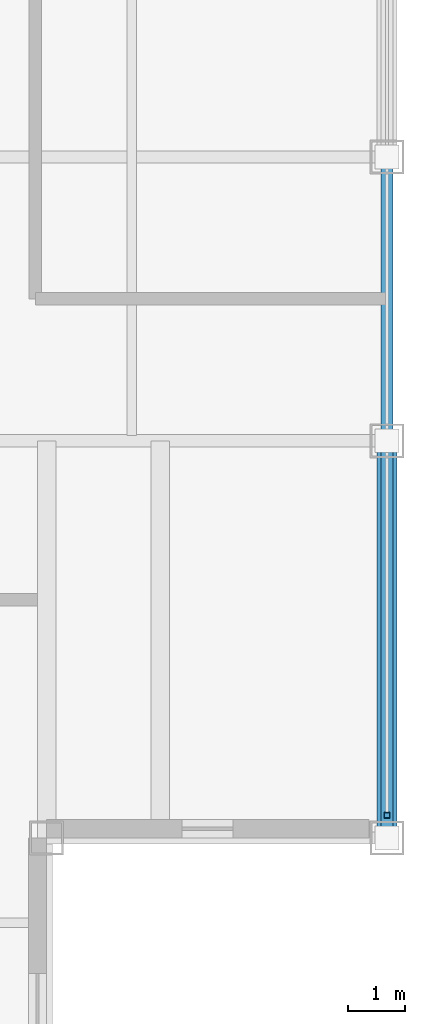
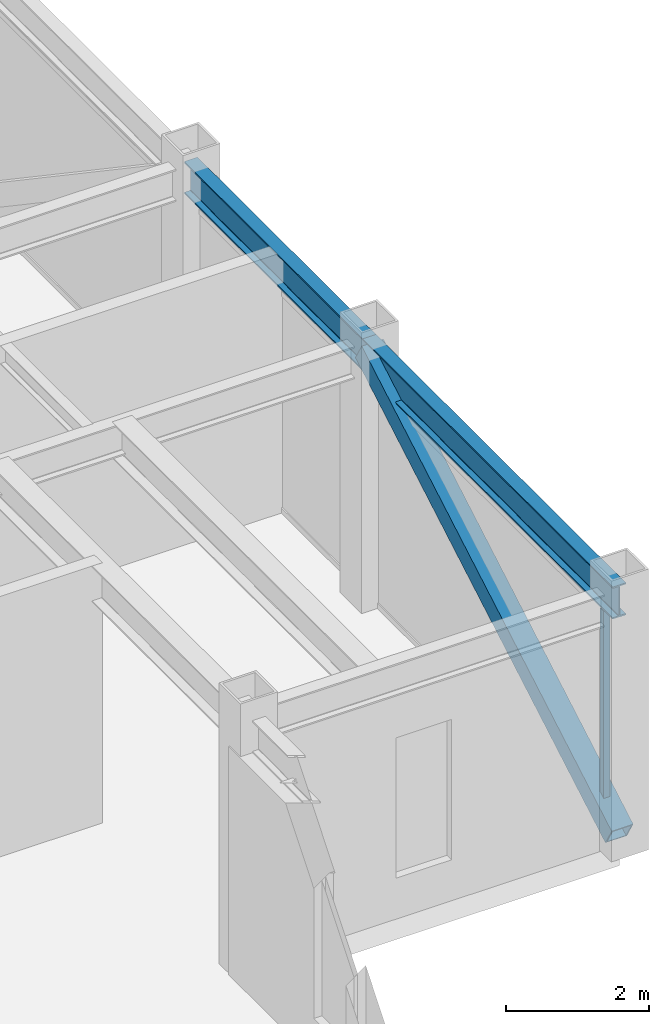
# One storey, part 10 of 27: 2 beams, 2 members, 1 element without a shape of its own.
"""IFC4 building model written with IfcOpenShell, lengths in metres."""

from ifc_helpers import new_model, si_unit, direction, frame, origin, origin_2d, place, context, subcontext, project, spatial, hollow_rectangle, i_section, extrude, source, transform, mapped, material, material_profile, profile_set, type_object, element, aggregate, save


model = new_model("IFC4")

# Units and contexts
model_context = context("Model", 3, precision=1e-05, world=origin(), true_north=direction((0.0, 1.0)))
body_context = subcontext(model_context, "Body", "Model", "MODEL_VIEW")
ifc_project = project(units=[si_unit("LENGTHUNIT", "METRE"), si_unit("AREAUNIT", "SQUARE_METRE"), si_unit("VOLUMEUNIT", "CUBIC_METRE"), si_unit("PLANEANGLEUNIT", "RADIAN"), si_unit("MASSUNIT", "GRAM", prefix="KILO")], contexts=[model_context])

# Site, building, storey
site_placement = place(None, origin())
site = spatial("IfcSite", under=ifc_project, at=site_placement, CompositionType="ELEMENT")
building_placement = place(site_placement, origin())
building = spatial("IfcBuilding", under=site, at=building_placement, Name="Khorayat Bourse Tower", CompositionType="ELEMENT")
storey_placement = place(building_placement, frame((0.0, 0.0, 385.10009765625)))
storey = spatial("IfcBuildingStorey", under=building, at=storey_placement, Name="L91", CompositionType="ELEMENT", Elevation=385.10009765625)

# Beams
ifc_material_1 = material(Name="Steel ASTM A992 Grade 50", Category="steel")
ifc_material_profile_1 = material_profile(ifc_material_1, i_section(OverallWidth=0.214111328125, OverallDepth=0.549072265625, WebThickness=0.0146484375, FlangeThickness=0.023681640625, FilletRadius=0.013916015625, at=origin_2d()), Name="W530X138")
ifc_profile_set_1 = profile_set([ifc_material_profile_1], Name="Steel ASTM A992 Grade 50")
beam_type = type_object("IfcBeamType", Name="BM-SPAN-530", PredefinedType="SPANDREL", material=ifc_profile_set_1)
shared_shape_1 = source(origin(), body_context, "Body", "SweptSolid", [
    extrude(i_section(OverallWidth=0.214111328125, OverallDepth=0.549072265625, WebThickness=0.0146484375, FlangeThickness=0.023681640625, FilletRadius=0.013916015625, at=origin_2d()), origin(), (0.0, 0.0, 1.0), 5.0),
])
beam_1_placement = place(storey_placement, frame((24.0, -11.0, 4.17529296875), z_axis=(0.0, 1.0, 0.0), x_axis=(-1.0, 0.0, 0.0)))
element("IfcBeam", 1, at=beam_1_placement, inside=storey, type_object=beam_type, Name="L91 BM-SPAN-530 BM-L91-SPN-033", PredefinedType="SPANDREL", context=body_context, shape_type="MappedRepresentation", body=[
    mapped(shared_shape_1, transform((0.0, 0.0, 0.0), scale=1.0)),
])
shared_shape_2 = source(origin(), body_context, "Body", "SweptSolid", [
    extrude(i_section(OverallWidth=0.214111328125, OverallDepth=0.549072265625, WebThickness=0.0146484375, FlangeThickness=0.023681640625, FilletRadius=0.013916015625, at=origin_2d()), origin(), (0.0, 0.0, 1.0), 7.0),
])
beam_2_placement = place(storey_placement, frame((24.0, -18.0, 4.17529296875), z_axis=(0.0, 1.0, 0.0), x_axis=(-1.0, 0.0, 0.0)))
element("IfcBeam", 2, at=beam_2_placement, inside=storey, type_object=beam_type, Name="L91 BM-SPAN-530 BM-L91-SPN-032", PredefinedType="SPANDREL", context=body_context, shape_type="MappedRepresentation", body=[
    mapped(shared_shape_2, transform((0.0, 0.0, 0.0), scale=1.0)),
])

# Member
ifc_material_2 = material(Name="Steel EN 10025-2 S355J2", Category="steel")
ifc_material_profile_2 = material_profile(ifc_material_2, hollow_rectangle(XDim=0.35009765625, YDim=0.35009765625, WallThickness=0.02001953125, at=origin_2d()), Name="HSS 350x350x20")
ifc_profile_set_2 = profile_set([ifc_material_profile_2], Name="Steel EN 10025-2 S355J2")
member_type_1 = type_object("IfcMemberType", Name="MBR-CROWN-350", PredefinedType="USERDEFINED", material=ifc_profile_set_2)
shared_shape_3 = source(origin(), body_context, "Body", "SweptSolid", [
    extrude(hollow_rectangle(XDim=0.35009765625, YDim=0.35009765625, WallThickness=0.02001953125, at=origin_2d()), origin(), (0.0, 0.0, 1.0), 8.087158203125),
])
member_1_placement = place(storey_placement, frame((24.0, -18.0, 0.199951171875), z_axis=(0.0, 0.865564731219, 0.500797060763), x_axis=(-1.0, 0.0, 0.0)))
element("IfcMember", 3, at=member_1_placement, inside=storey, type_object=member_type_1, Name="L91 Lantern Crown Frame Member 13", ObjectType="CROWN FRAME", PredefinedType="USERDEFINED", context=body_context, shape_type="MappedRepresentation", body=[
    mapped(shared_shape_3, transform((0.0, 0.0, 0.0), scale=1.0)),
])

# Curtain wall, member
ifc_material_3 = material(Name="Aluminium EN AW-6063 T6", Category="aluminium")
curtain_wall_type = type_object("IfcCurtainWallType", Name="CW-SYS-07", PredefinedType="NOTDEFINED", material=ifc_material_3)
curtain_wall_placement = place(storey_placement, origin())
curtain_wall = element("IfcCurtainWall", 4, at=curtain_wall_placement, inside=storey, type_object=curtain_wall_type, Name="L91 Curtain Wall CW-L91-E1", PredefinedType="NOTDEFINED")
ifc_material_profile_3 = material_profile(ifc_material_3, hollow_rectangle(XDim=0.10009765625, YDim=0.10009765625, WallThickness=0.0048828125, at=origin_2d()), Name="ALU 100x100x5")
ifc_profile_set_3 = profile_set([ifc_material_profile_3], Name="Aluminium EN AW-6063 T6")
member_type_2 = type_object("IfcMemberType", Name="CWM-LANTERN-100", PredefinedType="MULLION", material=ifc_profile_set_3)
shared_shape_4 = source(origin(), body_context, "Body", "SweptSolid", [
    extrude(hollow_rectangle(XDim=0.10009765625, YDim=0.10009765625, WallThickness=0.0048828125, at=origin_2d()), origin(), (0.0, 0.0, 1.0), 3.7998046875),
])
member_2_placement = place(storey_placement, frame((24.0, -17.60009765625, 0.0), z_axis=(0.0, 0.0, 1.0), x_axis=(-1.0, 0.0, 0.0)))
member_2 = element("IfcMember", 5, at=member_2_placement, type_object=member_type_2, Name="CW-L91-E1 Vertical Mullion 1", PredefinedType="MULLION", context=body_context, shape_type="MappedRepresentation", body=[
    mapped(shared_shape_4, transform((0.0, 0.0, 0.0), scale=1.0)),
])
aggregate(curtain_wall, [member_2])

save(model, "model.ifc")
